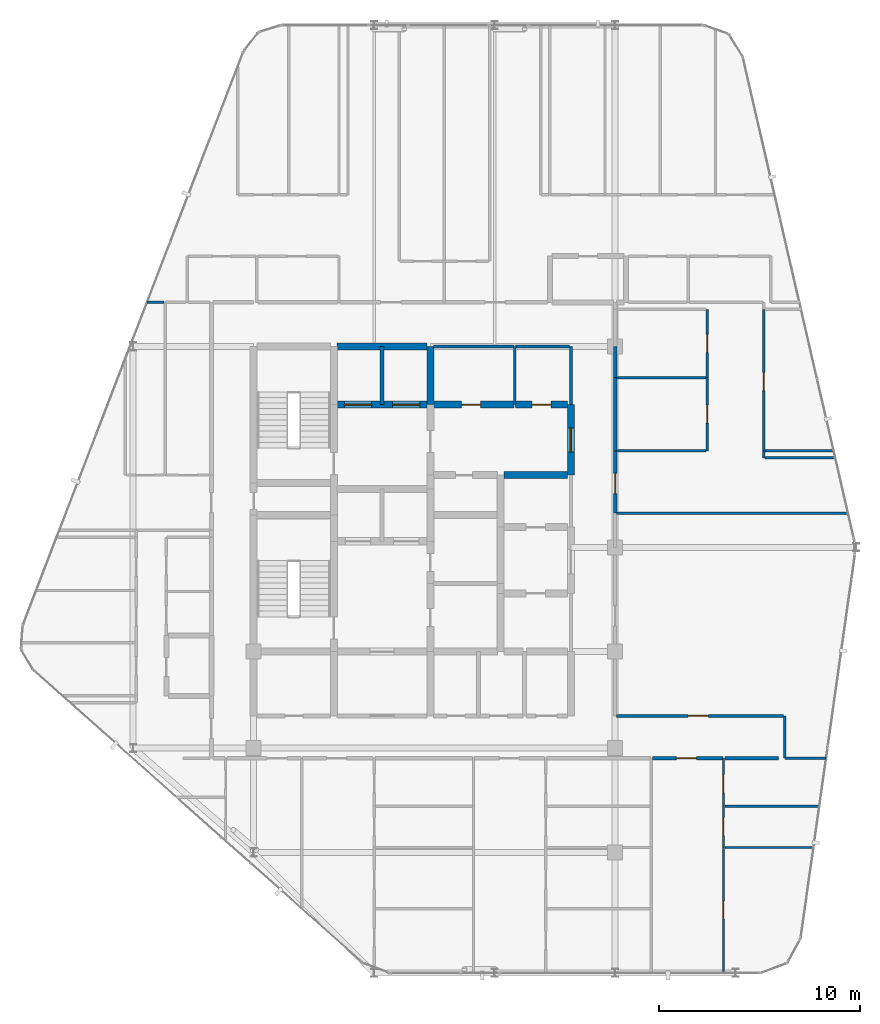
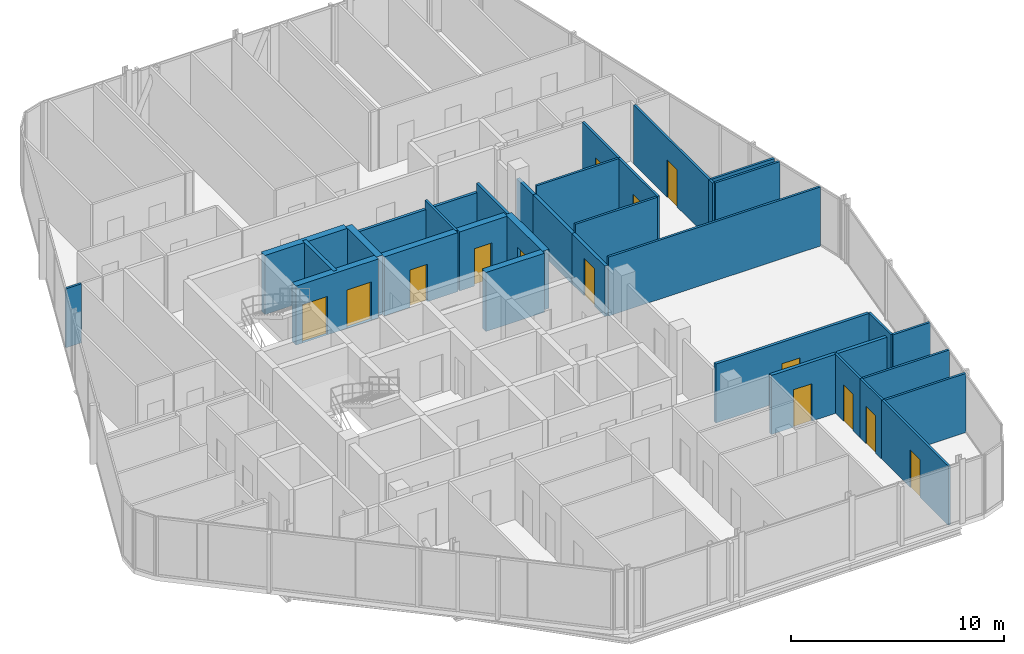
# One storey, part 25 of 28: 35 walls, 14 doors, 14 openings.
"""IFC4 building model written with IfcOpenShell, lengths in metres."""

from ifc_helpers import new_model, si_unit, direction, frame, frame_2d, origin, place, context, subcontext, project, spatial, rectangle, extrude, material, layer, layer_set, type_object, element, fill, save


model = new_model("IFC4")

# Units and contexts
model_context = context("Model", 3, precision=1e-05, world=origin(), true_north=direction((0.0, 1.0)))
body_context = subcontext(model_context, "Body", "Model", "MODEL_VIEW")
ifc_project = project(units=[si_unit("LENGTHUNIT", "METRE"), si_unit("AREAUNIT", "SQUARE_METRE"), si_unit("VOLUMEUNIT", "CUBIC_METRE"), si_unit("PLANEANGLEUNIT", "RADIAN"), si_unit("MASSUNIT", "GRAM", prefix="KILO")], contexts=[model_context])

# Site, building, storey
site_placement = place(None, origin())
site = spatial("IfcSite", under=ifc_project, at=site_placement, CompositionType="ELEMENT")
building_placement = place(site_placement, origin())
building = spatial("IfcBuilding", under=site, at=building_placement, Name="Keshet Zoharim Tower", CompositionType="ELEMENT")
storey_placement = place(building_placement, frame((0.0, 0.0, 251.0)))
storey = spatial("IfcBuildingStorey", under=building, at=storey_placement, Name="L62", CompositionType="ELEMENT", Elevation=251.0)

# Wall
ifc_material_1 = material(Name="Gypsum Plasterboard", Category="gypsum")
ifc_layer_1 = layer(ifc_material_1, 0.14990234375)
ifc_layer_set_1 = layer_set([ifc_layer_1], Name="Gypsum Plasterboard")
wall_type_1 = type_object("IfcWallType", Name="WL-CLIN-150", PredefinedType="STANDARD", material=ifc_layer_set_1)
wall_1_placement = place(storey_placement, frame((30.800048828125, 35.0, 0.0), z_axis=(0.0, 0.0, 1.0), x_axis=(0.0, 1.0, 0.0)))
element("IfcWall", 1, at=wall_1_placement, inside=storey, type_object=wall_type_1, Name="L62 Interior Wall 072", PredefinedType="STANDARD", context=body_context, shape_type="SweptSolid", body=[
    extrude(rectangle(XDim=2.89990234375, YDim=0.14990234375, at=frame_2d((1.449951171875, 0.0))), origin(), (0.0, 0.0, 1.0), 3.389892578125),
])

# Wall, opening, door
wall_2_placement = place(storey_placement, frame((33.06005859375, 19.5, 0.0), z_axis=(0.0, 0.0, 1.0), x_axis=(1.0, 0.0, 0.0)))
wall_2 = element("IfcWall", 2, at=wall_2_placement, inside=storey, type_object=wall_type_1, Name="L62 Interior Wall 119", PredefinedType="STANDARD", context=body_context, shape_type="SweptSolid", body=[
    extrude(rectangle(XDim=8.322998046875, YDim=0.14990234375, at=frame_2d((4.16162109375, 0.0))), origin(), (0.0, 0.0, 1.0), 3.389892578125),
])
opening_1_placement = place(wall_2_placement, frame((3.5830078125, 0.0, 0.0)))
opening_1 = element("IfcOpeningElement", 3, at=opening_1_placement, cuts=wall_2, Name="Opening D-F310", PredefinedType="OPENING", context=body_context, shape_type="SweptSolid", body=[
    extrude(rectangle(XDim=1.0, YDim=2.14990234375, at=frame_2d((0.5, 1.074951171875))), frame((0.0, 0.0849609375, 0.0), z_axis=(0.0, -1.0, 0.0), x_axis=(1.0, 0.0, 0.0)), (0.0, 0.0, 1.0), 0.169921875),
])
ifc_material_2 = material(Name="Hardwood Timber", Category="wood")
door_type_1 = type_object("IfcDoorType", Name="DR-FD30-100", OperationType="NOTDEFINED", PredefinedType="DOOR", material=ifc_material_2)
door_1_placement = place(opening_1_placement, origin())
door_1 = element("IfcDoor", 4, at=door_1_placement, inside=storey, type_object=door_type_1, Name="L62 South West Residents Services Suite Door 2", OperationType="SINGLE_SWING_LEFT", OverallHeight=2.14990234375, OverallWidth=1.0, PredefinedType="DOOR", context=body_context, shape_type="SweptSolid", body=[
    extrude(rectangle(XDim=1.0, YDim=2.14990234375, at=frame_2d((0.5, 1.074951171875))), frame((0.0, 0.02490234375, 0.0), z_axis=(0.0, -1.0, 0.0), x_axis=(1.0, 0.0, 0.0)), (0.0, 0.0, 1.0), 0.050048828125),
])
fill(opening_1, door_1)

# Walls
wall_3_placement = place(storey_placement, frame((23.9599609375, 37.89990234375, 0.0), z_axis=(0.0, 0.0, 1.0), x_axis=(1.0, 0.0, 0.0)))
element("IfcWall", 5, at=wall_3_placement, inside=storey, type_object=wall_type_1, Name="L62 Interior Wall 158", PredefinedType="STANDARD", context=body_context, shape_type="SweptSolid", body=[
    extrude(rectangle(XDim=3.9951171875, YDim=0.14990234375, at=frame_2d((1.99755859375, 0.0))), origin(), (0.0, 0.0, 1.0), 2.889892578125),
])
wall_4_placement = place(storey_placement, frame((28.044921875, 37.89990234375, 0.0), z_axis=(0.0, 0.0, 1.0), x_axis=(1.0, 0.0, 0.0)))
element("IfcWall", 6, at=wall_4_placement, inside=storey, type_object=wall_type_1, Name="L62 Interior Wall 159", PredefinedType="STANDARD", context=body_context, shape_type="SweptSolid", body=[
    extrude(rectangle(XDim=2.695068359375, YDim=0.14990234375, at=frame_2d((1.34765625, 0.0))), origin(), (0.0, 0.0, 1.0), 2.889892578125),
])
ifc_material_3 = material(Name="Concrete C60/75", Category="concrete")
ifc_layer_2 = layer(ifc_material_3, 0.35009765625)
ifc_layer_set_2 = layer_set([ifc_layer_2], Name="Concrete C60/75")
wall_type_2 = type_object("IfcWallType", Name="WL-CORE-350", PredefinedType="SHEAR", material=ifc_layer_set_2)
wall_5_placement = place(storey_placement, frame((23.800048828125, 35.0, 0.0), z_axis=(0.0, 0.0, 1.0), x_axis=(0.0, 1.0, 0.0)))
element("IfcWall", 7, at=wall_5_placement, inside=storey, type_object=wall_type_2, Name="L62 Core Shear Wall 047", PredefinedType="SHEAR", context=body_context, shape_type="SweptSolid", body=[
    extrude(rectangle(XDim=2.89990234375, YDim=0.35009765625, at=frame_2d((1.449951171875, 0.0))), origin(), (0.0, 0.0, 1.0), 3.389892578125),
])

# Wall, opening, door
wall_6_placement = place(storey_placement, frame((30.800048828125, 31.5, 0.0), z_axis=(0.0, 0.0, 1.0), x_axis=(0.0, 1.0, 0.0)))
wall_6 = element("IfcWall", 8, at=wall_6_placement, inside=storey, type_object=wall_type_2, Name="L62 Core Shear Wall 071", PredefinedType="SHEAR", context=body_context, shape_type="SweptSolid", body=[
    extrude(rectangle(XDim=3.5, YDim=0.35009765625, at=frame_2d((1.75, 0.0))), origin(), (0.0, 0.0, 1.0), 3.389892578125),
])
opening_2_placement = place(wall_6_placement, frame((1.14990234375, 0.0, 0.0)))
opening_2 = element("IfcOpeningElement", 9, at=opening_2_placement, cuts=wall_6, Name="Opening D-F612", PredefinedType="OPENING", context=body_context, shape_type="SweptSolid", body=[
    extrude(rectangle(XDim=1.199951171875, YDim=2.199951171875, at=frame_2d((0.60009765625, 1.10009765625))), frame((0.0, 0.18505859375, 0.0), z_axis=(0.0, -1.0, 0.0), x_axis=(1.0, 0.0, 0.0)), (0.0, 0.0, 1.0), 0.3701171875),
])
door_type_2 = type_object("IfcDoorType", Name="DR-FD60-120", OperationType="NOTDEFINED", PredefinedType="DOOR", material=ifc_material_2)
door_2_placement = place(opening_2_placement, origin())
door_2 = element("IfcDoor", 10, at=door_2_placement, inside=storey, type_object=door_type_2, Name="L62 North Lift Lobby East Fire Door", OperationType="SINGLE_SWING_LEFT", OverallHeight=2.199951171875, OverallWidth=1.199951171875, PredefinedType="DOOR", context=body_context, shape_type="SweptSolid", body=[
    extrude(rectangle(XDim=1.199951171875, YDim=2.199951171875, at=frame_2d((0.60009765625, 1.10009765625))), frame((0.0, 0.02490234375, 0.0), z_axis=(0.0, -1.0, 0.0), x_axis=(1.0, 0.0, 0.0)), (0.0, 0.0, 1.0), 0.050048828125),
])
fill(opening_2, door_2)

# Wall
wall_7_placement = place(storey_placement, frame((27.4599609375, 31.5, 0.0), z_axis=(0.0, 0.0, 1.0), x_axis=(1.0, 0.0, 0.0)))
element("IfcWall", 11, at=wall_7_placement, inside=storey, type_object=wall_type_2, Name="L62 Core Shear Wall 148", PredefinedType="SHEAR", context=body_context, shape_type="SweptSolid", body=[
    extrude(rectangle(XDim=3.179931640625, YDim=0.35009765625, at=frame_2d((1.58984375, 0.0))), origin(), (0.0, 0.0, 1.0), 3.389892578125),
])

# Wall, openings, doors
wall_8_placement = place(storey_placement, frame((19.159912109375, 35.0, 0.0), z_axis=(0.0, 0.0, 1.0), x_axis=(1.0, 0.0, 0.0)))
wall_8 = element("IfcWall", 12, at=wall_8_placement, inside=storey, type_object=wall_type_2, Name="L62 Core Shear Wall 152", PredefinedType="SHEAR", context=body_context, shape_type="SweptSolid", body=[
    extrude(rectangle(XDim=4.47998046875, YDim=0.35009765625, at=frame_2d((2.239990234375, 0.0))), origin(), (0.0, 0.0, 1.0), 3.389892578125),
])
opening_3_placement = place(wall_8_placement, frame((0.364990234375, 0.0, 0.0)))
opening_3 = element("IfcOpeningElement", 13, at=opening_3_placement, cuts=wall_8, Name="Opening LD-02", PredefinedType="OPENING", context=body_context, shape_type="SweptSolid", body=[
    extrude(rectangle(XDim=1.35009765625, YDim=2.199951171875, at=frame_2d((0.675048828125, 1.10009765625))), frame((0.0, 0.18505859375, 0.0), z_axis=(0.0, -1.0, 0.0), x_axis=(1.0, 0.0, 0.0)), (0.0, 0.0, 1.0), 0.3701171875),
])
opening_4_placement = place(wall_8_placement, frame((2.764892578125, 0.0, 0.0)))
opening_4 = element("IfcOpeningElement", 14, at=opening_4_placement, cuts=wall_8, Name="Opening LD-02", PredefinedType="OPENING", context=body_context, shape_type="SweptSolid", body=[
    extrude(rectangle(XDim=1.35009765625, YDim=2.199951171875, at=frame_2d((0.675048828125, 1.10009765625))), frame((0.0, 0.18505859375, 0.0), z_axis=(0.0, -1.0, 0.0), x_axis=(1.0, 0.0, 0.0)), (0.0, 0.0, 1.0), 0.3701171875),
])
ifc_material_4 = material(Name="Steel S355", Category="steel")
door_type_3 = type_object("IfcDoorType", Name="DR-LD02-135", OperationType="DOUBLE_DOOR_SLIDING", PredefinedType="DOOR", material=ifc_material_4)
door_3_placement = place(opening_3_placement, origin())
door_3 = element("IfcDoor", 15, at=door_3_placement, inside=storey, type_object=door_type_3, Name="L62 Firefighting Lift Landing Door FF-01", OperationType="DOUBLE_DOOR_SLIDING", OverallHeight=2.199951171875, OverallWidth=1.35009765625, PredefinedType="DOOR", context=body_context, shape_type="SweptSolid", body=[
    extrude(rectangle(XDim=1.35009765625, YDim=2.199951171875, at=frame_2d((0.675048828125, 1.10009765625))), frame((0.0, 0.02490234375, 0.0), z_axis=(0.0, -1.0, 0.0), x_axis=(1.0, 0.0, 0.0)), (0.0, 0.0, 1.0), 0.050048828125),
])
fill(opening_3, door_3)
door_4_placement = place(opening_4_placement, origin())
door_4 = element("IfcDoor", 16, at=door_4_placement, inside=storey, type_object=door_type_3, Name="L62 Firefighting Lift Landing Door FF-02", OperationType="DOUBLE_DOOR_SLIDING", OverallHeight=2.199951171875, OverallWidth=1.35009765625, PredefinedType="DOOR", context=body_context, shape_type="SweptSolid", body=[
    extrude(rectangle(XDim=1.35009765625, YDim=2.199951171875, at=frame_2d((0.675048828125, 1.10009765625))), frame((0.0, 0.02490234375, 0.0), z_axis=(0.0, -1.0, 0.0), x_axis=(1.0, 0.0, 0.0)), (0.0, 0.0, 1.0), 0.050048828125),
])
fill(opening_4, door_4)

# Wall, opening, door
wall_9_placement = place(storey_placement, frame((23.9599609375, 35.0, 0.0), z_axis=(0.0, 0.0, 1.0), x_axis=(1.0, 0.0, 0.0)))
wall_9 = element("IfcWall", 17, at=wall_9_placement, inside=storey, type_object=wall_type_2, Name="L62 Core Shear Wall 153", PredefinedType="SHEAR", context=body_context, shape_type="SweptSolid", body=[
    extrude(rectangle(XDim=3.9951171875, YDim=0.35009765625, at=frame_2d((1.99755859375, 0.0))), origin(), (0.0, 0.0, 1.0), 3.389892578125),
])
opening_5_placement = place(wall_9_placement, frame((1.39306640625, 0.0, 0.0)))
opening_5 = element("IfcOpeningElement", 18, at=opening_5_placement, cuts=wall_9, Name="Opening D-F695", PredefinedType="OPENING", context=body_context, shape_type="SweptSolid", body=[
    extrude(rectangle(XDim=0.949951171875, YDim=2.14990234375, at=frame_2d((0.47509765625, 1.074951171875))), frame((0.0, 0.18505859375, 0.0), z_axis=(0.0, -1.0, 0.0), x_axis=(1.0, 0.0, 0.0)), (0.0, 0.0, 1.0), 0.3701171875),
])
door_type_4 = type_object("IfcDoorType", Name="DR-FD60-095", OperationType="NOTDEFINED", PredefinedType="DOOR", material=ifc_material_2)
door_5_placement = place(opening_5_placement, frame((0.949951171875, 0.0, 0.0), z_axis=(0.0, 0.0, 1.0), x_axis=(-1.0, 0.0, 0.0)))
door_5 = element("IfcDoor", 19, at=door_5_placement, inside=storey, type_object=door_type_4, Name="L62 Laundry Room Door", OperationType="SINGLE_SWING_RIGHT", OverallHeight=2.14990234375, OverallWidth=0.949951171875, PredefinedType="DOOR", context=body_context, shape_type="SweptSolid", body=[
    extrude(rectangle(XDim=0.949951171875, YDim=2.14990234375, at=frame_2d((0.47509765625, 1.074951171875))), frame((0.0, 0.02490234375, 0.0), z_axis=(0.0, -1.0, 0.0), x_axis=(1.0, 0.0, 0.0)), (0.0, 0.0, 1.0), 0.050048828125),
])
fill(opening_5, door_5)

wall_10_placement = place(storey_placement, frame((28.044921875, 35.0, 0.0), z_axis=(0.0, 0.0, 1.0), x_axis=(1.0, 0.0, 0.0)))
wall_10 = element("IfcWall", 20, at=wall_10_placement, inside=storey, type_object=wall_type_2, Name="L62 Core Shear Wall 154", PredefinedType="SHEAR", context=body_context, shape_type="SweptSolid", body=[
    extrude(rectangle(XDim=2.594970703125, YDim=0.35009765625, at=frame_2d((1.29736328125, 0.0))), origin(), (0.0, 0.0, 1.0), 3.389892578125),
])
opening_6_placement = place(wall_10_placement, frame((0.805908203125, 0.0, 0.0)))
opening_6 = element("IfcOpeningElement", 21, at=opening_6_placement, cuts=wall_10, Name="Opening D-F695", PredefinedType="OPENING", context=body_context, shape_type="SweptSolid", body=[
    extrude(rectangle(XDim=0.949951171875, YDim=2.14990234375, at=frame_2d((0.47509765625, 1.074951171875))), frame((0.0, 0.18505859375, 0.0), z_axis=(0.0, -1.0, 0.0), x_axis=(1.0, 0.0, 0.0)), (0.0, 0.0, 1.0), 0.3701171875),
])
door_6_placement = place(opening_6_placement, frame((0.949951171875, 0.0, 0.0), z_axis=(0.0, 0.0, 1.0), x_axis=(-1.0, 0.0, 0.0)))
door_6 = element("IfcDoor", 22, at=door_6_placement, inside=storey, type_object=door_type_4, Name="L62 Quiet Study Room Door", OperationType="SINGLE_SWING_LEFT", OverallHeight=2.14990234375, OverallWidth=0.949951171875, PredefinedType="DOOR", context=body_context, shape_type="SweptSolid", body=[
    extrude(rectangle(XDim=0.949951171875, YDim=2.14990234375, at=frame_2d((0.47509765625, 1.074951171875))), frame((0.0, 0.02490234375, 0.0), z_axis=(0.0, -1.0, 0.0), x_axis=(1.0, 0.0, 0.0)), (0.0, 0.0, 1.0), 0.050048828125),
])
fill(opening_6, door_6)

# Wall
wall_11_placement = place(storey_placement, frame((19.159912109375, 37.89990234375, 0.0), z_axis=(0.0, 0.0, 1.0), x_axis=(1.0, 0.0, 0.0)))
element("IfcWall", 23, at=wall_11_placement, inside=storey, type_object=wall_type_2, Name="L62 Core Shear Wall 157", PredefinedType="SHEAR", context=body_context, shape_type="SweptSolid", body=[
    extrude(rectangle(XDim=4.47998046875, YDim=0.35009765625, at=frame_2d((2.239990234375, 0.0))), origin(), (0.0, 0.0, 1.0), 3.389892578125),
])

# Wall, opening, door
ifc_layer_3 = layer(ifc_material_1, 0.179931640625)
ifc_layer_set_3 = layer_set([ifc_layer_3], Name="Gypsum Plasterboard")
wall_type_3 = type_object("IfcWallType", Name="WL-CORR-180", PredefinedType="STANDARD", material=ifc_layer_set_3)
wall_12_placement = place(storey_placement, frame((33.0, 29.60009765625, 0.0), z_axis=(0.0, 0.0, 1.0), x_axis=(0.0, 1.0, 0.0)))
wall_12 = element("IfcWall", 24, at=wall_12_placement, inside=storey, type_object=wall_type_3, Name="L62 Interior Wall 075", PredefinedType="STANDARD", context=body_context, shape_type="SweptSolid", body=[
    extrude(rectangle(XDim=3.099853515625, YDim=0.179931640625, at=frame_2d((1.5498046875, 0.0))), origin(), (0.0, 0.0, 1.0), 2.889892578125),
])
opening_7_placement = place(wall_12_placement, frame((0.97802734375, 0.0, 0.0)))
opening_7 = element("IfcOpeningElement", 25, at=opening_7_placement, cuts=wall_12, Name="Opening D-F310", PredefinedType="OPENING", context=body_context, shape_type="SweptSolid", body=[
    extrude(rectangle(XDim=1.0, YDim=2.14990234375, at=frame_2d((0.5, 1.074951171875))), frame((0.0, 0.10009765625, 0.0), z_axis=(0.0, -1.0, 0.0), x_axis=(1.0, 0.0, 0.0)), (0.0, 0.0, 1.0), 0.199951171875),
])
door_7_placement = place(opening_7_placement, origin())
door_7 = element("IfcDoor", 26, at=door_7_placement, inside=storey, type_object=door_type_1, Name="Apartment 6209 Entrance Door", OperationType="SINGLE_SWING_LEFT", OverallHeight=2.14990234375, OverallWidth=1.0, PredefinedType="DOOR", context=body_context, shape_type="SweptSolid", body=[
    extrude(rectangle(XDim=1.0, YDim=2.14990234375, at=frame_2d((0.5, 1.074951171875))), frame((0.0, 0.02490234375, 0.0), z_axis=(0.0, -1.0, 0.0), x_axis=(1.0, 0.0, 0.0)), (0.0, 0.0, 1.0), 0.050048828125),
])
fill(opening_7, door_7)

# Walls
wall_13_placement = place(storey_placement, frame((33.0, 32.699951171875, 0.0), z_axis=(0.0, 0.0, 1.0), x_axis=(0.0, 1.0, 0.0)))
element("IfcWall", 27, at=wall_13_placement, inside=storey, type_object=wall_type_3, Name="L62 Interior Wall 076", PredefinedType="STANDARD", context=body_context, shape_type="SweptSolid", body=[
    extrude(rectangle(XDim=3.666015625, YDim=0.179931640625, at=frame_2d((1.8330078125, 0.0))), origin(), (0.0, 0.0, 1.0), 2.889892578125),
])
wall_14_placement = place(storey_placement, frame((33.0, 36.365966796875, 0.0), z_axis=(0.0, 0.0, 1.0), x_axis=(0.0, 1.0, 0.0)))
element("IfcWall", 28, at=wall_14_placement, inside=storey, type_object=wall_type_3, Name="L62 Interior Wall 077", PredefinedType="STANDARD", context=body_context, shape_type="SweptSolid", body=[
    extrude(rectangle(XDim=1.533935546875, YDim=0.179931640625, at=frame_2d((0.76708984375, 0.0))), origin(), (0.0, 0.0, 1.0), 2.889892578125),
])

# Wall, opening, door
wall_15_placement = place(storey_placement, frame((34.864990234375, 17.39990234375, 0.0), z_axis=(0.0, 0.0, 1.0), x_axis=(1.0, 0.0, 0.0)))
wall_15 = element("IfcWall", 29, at=wall_15_placement, inside=storey, type_object=wall_type_3, Name="L62 Interior Wall 112", PredefinedType="STANDARD", context=body_context, shape_type="SweptSolid", body=[
    extrude(rectangle(XDim=3.510009765625, YDim=0.179931640625, at=frame_2d((1.7548828125, 0.0))), origin(), (0.0, 0.0, 1.0), 3.389892578125),
])
opening_8_placement = place(wall_15_placement, frame((1.18505859375, 0.0, 0.0)))
opening_8 = element("IfcOpeningElement", 30, at=opening_8_placement, cuts=wall_15, Name="Opening D-F310", PredefinedType="OPENING", context=body_context, shape_type="SweptSolid", body=[
    extrude(rectangle(XDim=1.0, YDim=2.14990234375, at=frame_2d((0.5, 1.074951171875))), frame((0.0, 0.10009765625, 0.0), z_axis=(0.0, -1.0, 0.0), x_axis=(1.0, 0.0, 0.0)), (0.0, 0.0, 1.0), 0.199951171875),
])
door_8_placement = place(opening_8_placement, origin())
door_8 = element("IfcDoor", 31, at=door_8_placement, inside=storey, type_object=door_type_1, Name="Apartment 6204 Entrance Door", OperationType="SINGLE_SWING_LEFT", OverallHeight=2.14990234375, OverallWidth=1.0, PredefinedType="DOOR", context=body_context, shape_type="SweptSolid", body=[
    extrude(rectangle(XDim=1.0, YDim=2.14990234375, at=frame_2d((0.5, 1.074951171875))), frame((0.0, 0.02490234375, 0.0), z_axis=(0.0, -1.0, 0.0), x_axis=(1.0, 0.0, 0.0)), (0.0, 0.0, 1.0), 0.050048828125),
])
fill(opening_8, door_8)

# Walls
wall_16_placement = place(storey_placement, frame((38.465087890625, 17.39990234375, 0.0), z_axis=(0.0, 0.0, 1.0), x_axis=(1.0, 0.0, 0.0)))
element("IfcWall", 32, at=wall_16_placement, inside=storey, type_object=wall_type_3, Name="L62 Interior Wall 113", PredefinedType="STANDARD", context=body_context, shape_type="SweptSolid", body=[
    extrude(rectangle(XDim=2.664794921875, YDim=0.179931640625, at=frame_2d((1.33251953125, 0.0))), origin(), (0.0, 0.0, 1.0), 3.389892578125),
])
ifc_material_5 = material(Name="Concrete C50/60", Category="concrete")
ifc_layer_4 = layer(ifc_material_5, 0.199951171875)
ifc_layer_set_4 = layer_set([ifc_layer_4], Name="Concrete C50/60")
wall_type_4 = type_object("IfcWallType", Name="WL-FIRE-200", PredefinedType="STANDARD", material=ifc_layer_set_4)
wall_17_placement = place(storey_placement, frame((21.39990234375, 35.0, 0.0), z_axis=(0.0, 0.0, 1.0), x_axis=(0.0, 1.0, 0.0)))
element("IfcWall", 33, at=wall_17_placement, inside=storey, type_object=wall_type_4, Name="L62 Interior Wall 039", PredefinedType="STANDARD", context=body_context, shape_type="SweptSolid", body=[
    extrude(rectangle(XDim=2.89990234375, YDim=0.199951171875, at=frame_2d((1.449951171875, 0.0))), origin(), (0.0, 0.0, 1.0), 3.389892578125),
])
ifc_layer_5 = layer(ifc_material_1, 0.1201171875)
ifc_layer_set_5 = layer_set([ifc_layer_5], Name="Gypsum Plasterboard")
wall_type_5 = type_object("IfcWallType", Name="WL-PART-120", PredefinedType="PARTITIONING", material=ifc_layer_set_5)
wall_18_placement = place(storey_placement, frame((28.0, 35.0, 0.0), z_axis=(0.0, 0.0, 1.0), x_axis=(0.0, 1.0, 0.0)))
element("IfcWall", 34, at=wall_18_placement, inside=storey, type_object=wall_type_5, Name="L62 Interior Wall 059", PredefinedType="PARTITIONING", context=body_context, shape_type="SweptSolid", body=[
    extrude(rectangle(XDim=2.89990234375, YDim=0.1201171875, at=frame_2d((1.449951171875, 0.0))), origin(), (0.0, 0.0, 1.0), 3.389892578125),
])

# Wall, opening, door
wall_19_placement = place(storey_placement, frame((37.60009765625, 32.699951171875, 0.0), z_axis=(0.0, 0.0, 1.0), x_axis=(0.0, 1.0, 0.0)))
wall_19 = element("IfcWall", 35, at=wall_19_placement, inside=storey, type_object=wall_type_5, Name="L62 Interior Wall 085", PredefinedType="PARTITIONING", context=body_context, shape_type="SweptSolid", body=[
    extrude(rectangle(XDim=3.666015625, YDim=0.1201171875, at=frame_2d((1.8330078125, 0.0))), origin(), (0.0, 0.0, 1.0), 3.389892578125),
])
opening_9_placement = place(wall_19_placement, frame((1.383056640625, 0.0, 0.0)))
opening_9 = element("IfcOpeningElement", 36, at=opening_9_placement, cuts=wall_19, Name="Opening D-IN90", PredefinedType="OPENING", context=body_context, shape_type="SweptSolid", body=[
    extrude(rectangle(XDim=0.89990234375, YDim=2.14990234375, at=frame_2d((0.449951171875, 1.074951171875))), frame((0.0, 0.070068359375, 0.0), z_axis=(0.0, -1.0, 0.0), x_axis=(1.0, 0.0, 0.0)), (0.0, 0.0, 1.0), 0.14013671875),
])
door_type_5 = type_object("IfcDoorType", Name="DR-INT-090", OperationType="NOTDEFINED", PredefinedType="DOOR", material=ifc_material_2)
door_9_placement = place(opening_9_placement, origin())
door_9 = element("IfcDoor", 37, at=door_9_placement, inside=storey, type_object=door_type_5, Name="Apartment 6209 Kitchen Door", OperationType="SINGLE_SWING_RIGHT", OverallHeight=2.14990234375, OverallWidth=0.89990234375, PredefinedType="DOOR", context=body_context, shape_type="SweptSolid", body=[
    extrude(rectangle(XDim=0.89990234375, YDim=2.14990234375, at=frame_2d((0.449951171875, 1.074951171875))), frame((0.0, 0.02490234375, 0.0), z_axis=(0.0, -1.0, 0.0), x_axis=(1.0, 0.0, 0.0)), (0.0, 0.0, 1.0), 0.050048828125),
])
fill(opening_9, door_9)

wall_20_placement = place(storey_placement, frame((38.39990234375, 6.7099609375, 0.0), z_axis=(0.0, 0.0, 1.0), x_axis=(0.0, 1.0, 0.0)))
wall_20 = element("IfcWall", 38, at=wall_20_placement, inside=storey, type_object=wall_type_5, Name="L62 Interior Wall 088", PredefinedType="PARTITIONING", context=body_context, shape_type="SweptSolid", body=[
    extrude(rectangle(XDim=6.260009765625, YDim=0.1201171875, at=frame_2d((3.1298828125, 0.0))), origin(), (0.0, 0.0, 1.0), 3.389892578125),
])
opening_10_placement = place(wall_20_placement, frame((2.679931640625, 0.0, 0.0)))
opening_10 = element("IfcOpeningElement", 39, at=opening_10_placement, cuts=wall_20, Name="Opening D-IN90", PredefinedType="OPENING", context=body_context, shape_type="SweptSolid", body=[
    extrude(rectangle(XDim=0.89990234375, YDim=2.14990234375, at=frame_2d((0.449951171875, 1.074951171875))), frame((0.0, 0.070068359375, 0.0), z_axis=(0.0, -1.0, 0.0), x_axis=(1.0, 0.0, 0.0)), (0.0, 0.0, 1.0), 0.14013671875),
])
door_10_placement = place(opening_10_placement, origin())
door_10 = element("IfcDoor", 40, at=door_10_placement, inside=storey, type_object=door_type_5, Name="Apartment 6204 Bedroom 1 Door", OperationType="SINGLE_SWING_RIGHT", OverallHeight=2.14990234375, OverallWidth=0.89990234375, PredefinedType="DOOR", context=body_context, shape_type="SweptSolid", body=[
    extrude(rectangle(XDim=0.89990234375, YDim=2.14990234375, at=frame_2d((0.449951171875, 1.074951171875))), frame((0.0, 0.02490234375, 0.0), z_axis=(0.0, -1.0, 0.0), x_axis=(1.0, 0.0, 0.0)), (0.0, 0.0, 1.0), 0.050048828125),
])
fill(opening_10, door_10)

wall_21_placement = place(storey_placement, frame((38.39990234375, 12.969970703125, 0.0), z_axis=(0.0, 0.0, 1.0), x_axis=(0.0, 1.0, 0.0)))
wall_21 = element("IfcWall", 41, at=wall_21_placement, inside=storey, type_object=wall_type_5, Name="L62 Interior Wall 089", PredefinedType="PARTITIONING", context=body_context, shape_type="SweptSolid", body=[
    extrude(rectangle(XDim=2.0380859375, YDim=0.1201171875, at=frame_2d((1.01904296875, 0.0))), origin(), (0.0, 0.0, 1.0), 3.389892578125),
])
opening_11_placement = place(wall_21_placement, frame((0.569091796875, 0.0, 0.0)))
opening_11 = element("IfcOpeningElement", 42, at=opening_11_placement, cuts=wall_21, Name="Opening D-IN90", PredefinedType="OPENING", context=body_context, shape_type="SweptSolid", body=[
    extrude(rectangle(XDim=0.89990234375, YDim=2.14990234375, at=frame_2d((0.449951171875, 1.074951171875))), frame((0.0, 0.070068359375, 0.0), z_axis=(0.0, -1.0, 0.0), x_axis=(1.0, 0.0, 0.0)), (0.0, 0.0, 1.0), 0.14013671875),
])
door_11_placement = place(opening_11_placement, origin())
door_11 = element("IfcDoor", 43, at=door_11_placement, inside=storey, type_object=door_type_5, Name="Apartment 6204 Kitchen Door", OperationType="SINGLE_SWING_LEFT", OverallHeight=2.14990234375, OverallWidth=0.89990234375, PredefinedType="DOOR", context=body_context, shape_type="SweptSolid", body=[
    extrude(rectangle(XDim=0.89990234375, YDim=2.14990234375, at=frame_2d((0.449951171875, 1.074951171875))), frame((0.0, 0.02490234375, 0.0), z_axis=(0.0, -1.0, 0.0), x_axis=(1.0, 0.0, 0.0)), (0.0, 0.0, 1.0), 0.050048828125),
])
fill(opening_11, door_11)

# Wall
wall_22_placement = place(storey_placement, frame((40.39990234375, 32.35009765625, 0.0), z_axis=(0.0, 0.0, 1.0), x_axis=(0.0, 1.0, 0.0)))
element("IfcWall", 44, at=wall_22_placement, inside=storey, type_object=wall_type_5, Name="L62 Interior Wall 091", PredefinedType="PARTITIONING", context=body_context, shape_type="SweptSolid", body=[
    extrude(rectangle(XDim=0.349853515625, YDim=0.1201171875, at=frame_2d((0.1748046875, 0.0))), origin(), (0.0, 0.0, 1.0), 3.389892578125),
])

# Wall, opening, door
wall_23_placement = place(storey_placement, frame((40.39990234375, 32.699951171875, 0.0), z_axis=(0.0, 0.0, 1.0), x_axis=(0.0, 1.0, 0.0)))
wall_23 = element("IfcWall", 45, at=wall_23_placement, inside=storey, type_object=wall_type_5, Name="L62 Interior Wall 092", PredefinedType="PARTITIONING", context=body_context, shape_type="SweptSolid", body=[
    extrude(rectangle(XDim=7.050048828125, YDim=0.1201171875, at=frame_2d((3.52490234375, 0.0))), origin(), (0.0, 0.0, 1.0), 3.389892578125),
])
opening_12_placement = place(wall_23_placement, frame((3.00390625, 0.0, 0.0)))
opening_12 = element("IfcOpeningElement", 46, at=opening_12_placement, cuts=wall_23, Name="Opening D-IN90", PredefinedType="OPENING", context=body_context, shape_type="SweptSolid", body=[
    extrude(rectangle(XDim=0.89990234375, YDim=2.14990234375, at=frame_2d((0.449951171875, 1.074951171875))), frame((0.0, 0.070068359375, 0.0), z_axis=(0.0, -1.0, 0.0), x_axis=(1.0, 0.0, 0.0)), (0.0, 0.0, 1.0), 0.14013671875),
])
door_12_placement = place(opening_12_placement, origin())
door_12 = element("IfcDoor", 47, at=door_12_placement, inside=storey, type_object=door_type_5, Name="Apartment 6209 Bedroom 1 Door", OperationType="SINGLE_SWING_LEFT", OverallHeight=2.14990234375, OverallWidth=0.89990234375, PredefinedType="DOOR", context=body_context, shape_type="SweptSolid", body=[
    extrude(rectangle(XDim=0.89990234375, YDim=2.14990234375, at=frame_2d((0.449951171875, 1.074951171875))), frame((0.0, 0.02490234375, 0.0), z_axis=(0.0, -1.0, 0.0), x_axis=(1.0, 0.0, 0.0)), (0.0, 0.0, 1.0), 0.050048828125),
])
fill(opening_12, door_12)

# Walls
wall_24_placement = place(storey_placement, frame((41.449951171875, 17.39990234375, 0.0), z_axis=(0.0, 0.0, 1.0), x_axis=(0.0, 1.0, 0.0)))
element("IfcWall", 48, at=wall_24_placement, inside=storey, type_object=wall_type_5, Name="L62 Interior Wall 095", PredefinedType="PARTITIONING", context=body_context, shape_type="SweptSolid", body=[
    extrude(rectangle(XDim=2.09912109375, YDim=0.1201171875, at=frame_2d((1.049560546875, 0.0))), origin(), (0.0, 0.0, 1.0), 3.389892578125),
])
wall_25_placement = place(storey_placement, frame((38.465087890625, 12.949951171875, 0.0), z_axis=(0.0, 0.0, 1.0), x_axis=(1.0, 0.0, 0.0)))
element("IfcWall", 49, at=wall_25_placement, inside=storey, type_object=wall_type_5, Name="L62 Interior Wall 100", PredefinedType="PARTITIONING", context=body_context, shape_type="SweptSolid", body=[
    extrude(rectangle(XDim=4.408935546875, YDim=0.1201171875, at=frame_2d((2.20458984375, 0.0))), origin(), (0.0, 0.0, 1.0), 3.389892578125),
])
wall_26_placement = place(storey_placement, frame((33.074951171875, 29.60009765625, 0.0), z_axis=(0.0, 0.0, 1.0), x_axis=(1.0, 0.0, 0.0)))
element("IfcWall", 50, at=wall_26_placement, inside=storey, type_object=wall_type_5, Name="L62 Interior Wall 142", PredefinedType="PARTITIONING", context=body_context, shape_type="SweptSolid", body=[
    extrude(rectangle(XDim=11.52197265625, YDim=0.1201171875, at=frame_2d((5.760986328125, 0.0))), origin(), (0.0, 0.0, 1.0), 3.389892578125),
])
wall_27_placement = place(storey_placement, frame((40.465087890625, 32.35009765625, 0.0), z_axis=(0.0, 0.0, 1.0), x_axis=(1.0, 0.0, 0.0)))
element("IfcWall", 51, at=wall_27_placement, inside=storey, type_object=wall_type_5, Name="L62 Interior Wall 149", PredefinedType="PARTITIONING", context=body_context, shape_type="SweptSolid", body=[
    extrude(rectangle(XDim=3.497802734375, YDim=0.1201171875, at=frame_2d((1.7490234375, 0.0))), origin(), (0.0, 0.0, 1.0), 3.389892578125),
])
wall_28_placement = place(storey_placement, frame((33.074951171875, 32.699951171875, 0.0), z_axis=(0.0, 0.0, 1.0), x_axis=(1.0, 0.0, 0.0)))
element("IfcWall", 52, at=wall_28_placement, inside=storey, type_object=wall_type_5, Name="L62 Interior Wall 150", PredefinedType="PARTITIONING", context=body_context, shape_type="SweptSolid", body=[
    extrude(rectangle(XDim=4.4599609375, YDim=0.1201171875, at=frame_2d((2.22998046875, 0.0))), origin(), (0.0, 0.0, 1.0), 3.389892578125),
])
wall_29_placement = place(storey_placement, frame((40.465087890625, 32.699951171875, 0.0), z_axis=(0.0, 0.0, 1.0), x_axis=(1.0, 0.0, 0.0)))
element("IfcWall", 53, at=wall_29_placement, inside=storey, type_object=wall_type_5, Name="L62 Interior Wall 151", PredefinedType="PARTITIONING", context=body_context, shape_type="SweptSolid", body=[
    extrude(rectangle(XDim=3.4169921875, YDim=0.1201171875, at=frame_2d((1.70849609375, 0.0))), origin(), (0.0, 0.0, 1.0), 3.389892578125),
])
wall_30_placement = place(storey_placement, frame((9.701904296875, 40.10009765625, 0.0), z_axis=(0.0, 0.0, 1.0), x_axis=(1.0, 0.0, 0.0)))
element("IfcWall", 54, at=wall_30_placement, inside=storey, type_object=wall_type_5, Name="L62 Interior Wall 162", PredefinedType="PARTITIONING", context=body_context, shape_type="SweptSolid", body=[
    extrude(rectangle(XDim=0.8310546875, YDim=0.1201171875, at=frame_2d((0.41552734375, 0.0))), origin(), (0.0, 0.0, 1.0), 3.389892578125),
])

# Wall, opening, door
ifc_layer_6 = layer(ifc_material_1, 0.1201171875)
ifc_layer_set_6 = layer_set([ifc_layer_6], Name="Gypsum Plasterboard")
wall_type_6 = type_object("IfcWallType", Name="WL-WET-120", PredefinedType="PARTITIONING", material=ifc_layer_set_6)
wall_31_placement = place(storey_placement, frame((37.60009765625, 36.365966796875, 0.0), z_axis=(0.0, 0.0, 1.0), x_axis=(0.0, 1.0, 0.0)))
wall_31 = element("IfcWall", 55, at=wall_31_placement, inside=storey, type_object=wall_type_6, Name="L62 Interior Wall 086", PredefinedType="PARTITIONING", context=body_context, shape_type="SweptSolid", body=[
    extrude(rectangle(XDim=3.384033203125, YDim=0.1201171875, at=frame_2d((1.69189453125, 0.0))), origin(), (0.0, 0.0, 1.0), 3.389892578125),
])
opening_13_placement = place(wall_31_placement, frame((1.241943359375, 0.0, 0.0)))
opening_13 = element("IfcOpeningElement", 56, at=opening_13_placement, cuts=wall_31, Name="Opening D-WT90", PredefinedType="OPENING", context=body_context, shape_type="SweptSolid", body=[
    extrude(rectangle(XDim=0.89990234375, YDim=2.10009765625, at=frame_2d((0.449951171875, 1.050048828125))), frame((0.0, 0.070068359375, 0.0), z_axis=(0.0, -1.0, 0.0), x_axis=(1.0, 0.0, 0.0)), (0.0, 0.0, 1.0), 0.14013671875),
])
door_type_6 = type_object("IfcDoorType", Name="DR-WET-090", OperationType="NOTDEFINED", PredefinedType="DOOR", material=ifc_material_2)
door_13_placement = place(opening_13_placement, origin())
door_13 = element("IfcDoor", 57, at=door_13_placement, inside=storey, type_object=door_type_6, Name="Apartment 6209 Bathroom Door", OperationType="SINGLE_SWING_LEFT", OverallHeight=2.10009765625, OverallWidth=0.89990234375, PredefinedType="DOOR", context=body_context, shape_type="SweptSolid", body=[
    extrude(rectangle(XDim=0.89990234375, YDim=2.10009765625, at=frame_2d((0.449951171875, 1.050048828125))), frame((0.0, 0.02490234375, 0.0), z_axis=(0.0, -1.0, 0.0), x_axis=(1.0, 0.0, 0.0)), (0.0, 0.0, 1.0), 0.050048828125),
])
fill(opening_13, door_13)

wall_32_placement = place(storey_placement, frame((38.39990234375, 15.008056640625, 0.0), z_axis=(0.0, 0.0, 1.0), x_axis=(0.0, 1.0, 0.0)))
wall_32 = element("IfcWall", 58, at=wall_32_placement, inside=storey, type_object=wall_type_6, Name="L62 Interior Wall 090", PredefinedType="PARTITIONING", context=body_context, shape_type="SweptSolid", body=[
    extrude(rectangle(XDim=2.391845703125, YDim=0.1201171875, at=frame_2d((1.19580078125, 0.0))), origin(), (0.0, 0.0, 1.0), 3.389892578125),
])
opening_14_placement = place(wall_32_placement, frame((0.675048828125, 0.0, 0.0)))
opening_14 = element("IfcOpeningElement", 59, at=opening_14_placement, cuts=wall_32, Name="Opening D-WT90", PredefinedType="OPENING", context=body_context, shape_type="SweptSolid", body=[
    extrude(rectangle(XDim=0.89990234375, YDim=2.10009765625, at=frame_2d((0.449951171875, 1.050048828125))), frame((0.0, 0.070068359375, 0.0), z_axis=(0.0, -1.0, 0.0), x_axis=(1.0, 0.0, 0.0)), (0.0, 0.0, 1.0), 0.14013671875),
])
door_14_placement = place(opening_14_placement, origin())
door_14 = element("IfcDoor", 60, at=door_14_placement, inside=storey, type_object=door_type_6, Name="Apartment 6204 Bathroom Door", OperationType="SINGLE_SWING_RIGHT", OverallHeight=2.10009765625, OverallWidth=0.89990234375, PredefinedType="DOOR", context=body_context, shape_type="SweptSolid", body=[
    extrude(rectangle(XDim=0.89990234375, YDim=2.10009765625, at=frame_2d((0.449951171875, 1.050048828125))), frame((0.0, 0.02490234375, 0.0), z_axis=(0.0, -1.0, 0.0), x_axis=(1.0, 0.0, 0.0)), (0.0, 0.0, 1.0), 0.050048828125),
])
fill(opening_14, door_14)

# Walls
wall_33_placement = place(storey_placement, frame((38.465087890625, 15.0, 0.0), z_axis=(0.0, 0.0, 1.0), x_axis=(1.0, 0.0, 0.0)))
element("IfcWall", 61, at=wall_33_placement, inside=storey, type_object=wall_type_6, Name="L62 Interior Wall 103", PredefinedType="PARTITIONING", context=body_context, shape_type="SweptSolid", body=[
    extrude(rectangle(XDim=4.698974609375, YDim=0.1201171875, at=frame_2d((2.349609375, 0.0))), origin(), (0.0, 0.0, 1.0), 3.389892578125),
])
wall_34_placement = place(storey_placement, frame((41.472900390625, 17.39990234375, 0.0), z_axis=(0.0, 0.0, 1.0), x_axis=(1.0, 0.0, 0.0)))
element("IfcWall", 62, at=wall_34_placement, inside=storey, type_object=wall_type_6, Name="L62 Interior Wall 114", PredefinedType="PARTITIONING", context=body_context, shape_type="SweptSolid", body=[
    extrude(rectangle(XDim=2.031005859375, YDim=0.1201171875, at=frame_2d((1.015625, 0.0))), origin(), (0.0, 0.0, 1.0), 3.389892578125),
])
wall_35_placement = place(storey_placement, frame((33.074951171875, 36.35009765625, 0.0), z_axis=(0.0, 0.0, 1.0), x_axis=(1.0, 0.0, 0.0)))
element("IfcWall", 63, at=wall_35_placement, inside=storey, type_object=wall_type_6, Name="L62 Interior Wall 155", PredefinedType="PARTITIONING", context=body_context, shape_type="SweptSolid", body=[
    extrude(rectangle(XDim=4.4599609375, YDim=0.1201171875, at=frame_2d((2.22998046875, 0.0))), origin(), (0.0, 0.0, 1.0), 3.389892578125),
])

save(model, "model.ifc")
